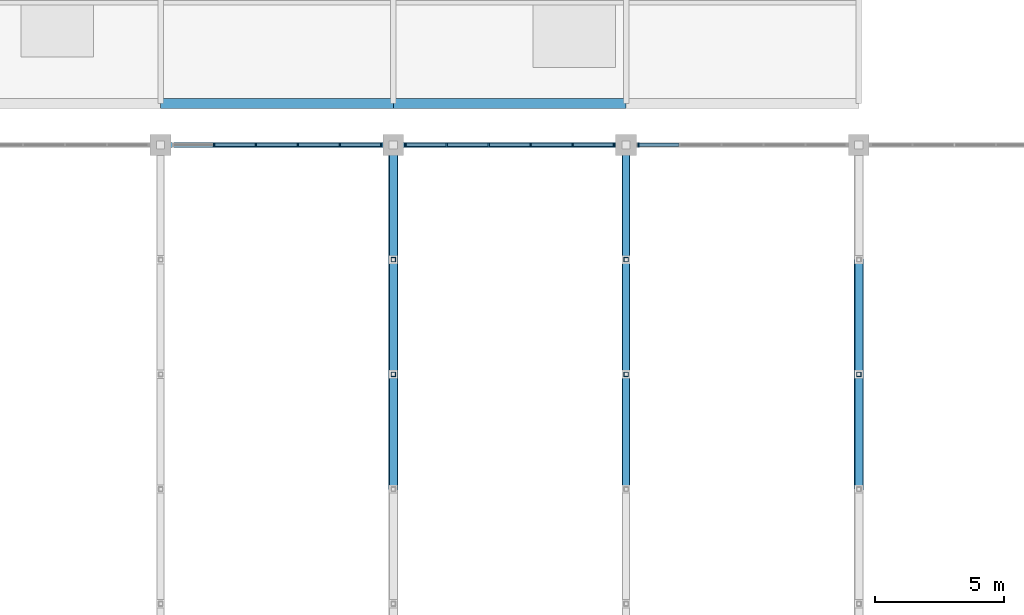
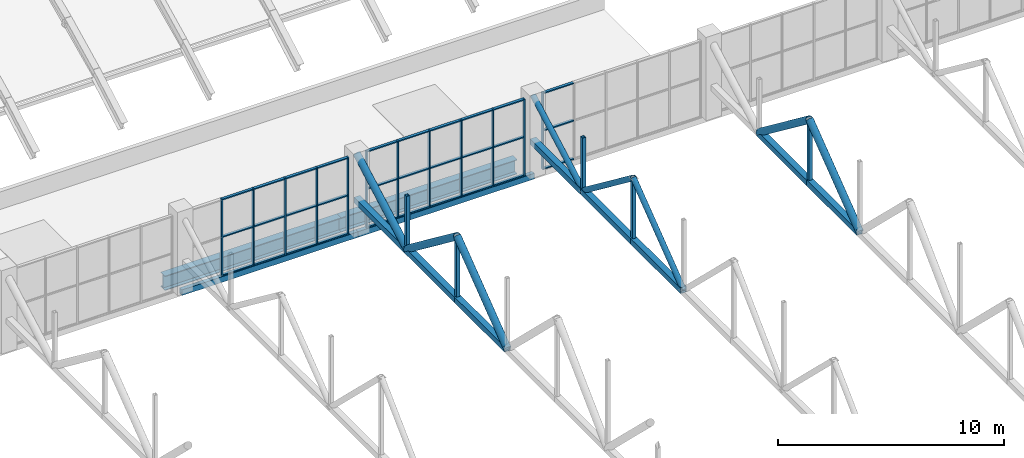
# One storey, part 56 of 103: 63 members, 4 beams, 3 elements without a shape of their own.
"""IFC4 building model written with IfcOpenShell, lengths in metres."""

from ifc_helpers import new_model, si_unit, direction, frame, origin, origin_2d, place, context, subcontext, project, spatial, rectangle, hollow_rectangle, hollow_circle, i_section, extrude, material, layer, layer_set, material_profile, profile_set, type_object, element, aggregate, save


model = new_model("IFC4")

# Units and contexts
model_context = context("Model", 3, precision=1e-05, world=origin(), true_north=direction((0.0, 1.0)))
body_context = subcontext(model_context, "Body", "Model", "MODEL_VIEW")
ifc_project = project(units=[si_unit("LENGTHUNIT", "METRE"), si_unit("AREAUNIT", "SQUARE_METRE"), si_unit("VOLUMEUNIT", "CUBIC_METRE"), si_unit("PLANEANGLEUNIT", "RADIAN"), si_unit("MASSUNIT", "GRAM", prefix="KILO")], contexts=[model_context])

# Site, building, storey
site_placement = place(None, origin())
site = spatial("IfcSite", under=ifc_project, at=site_placement, CompositionType="ELEMENT")
building_placement = place(site_placement, origin())
building = spatial("IfcBuilding", under=site, at=building_placement, Name="Cazmaro Siding Exhibition Halls", CompositionType="ELEMENT")
storey_placement = place(building_placement, frame((0.0, 0.0, 16.5)))
storey = spatial("IfcBuildingStorey", under=building, at=storey_placement, Name="L03", CompositionType="ELEMENT", Elevation=16.5)

# Curtain wall, members
ifc_material_1 = material(Name="Anodized Bronze Aluminum and Solar-Control Low-E Glazing", Category="aluminium")
ifc_layer = layer(ifc_material_1, 0.159912109375)
ifc_layer_set = layer_set([ifc_layer], Name="Anodized Bronze Aluminum and Solar-Control Low-E Glazing")
curtain_wall_type = type_object("IfcCurtainWallType", Name="CWS-04", PredefinedType="USERDEFINED", material=ifc_layer_set)
curtain_wall_1_placement = place(storey_placement, origin())
curtain_wall_1 = element("IfcCurtainWall", 1, at=curtain_wall_1_placement, inside=storey, type_object=curtain_wall_type, Name="Clerestory Curtain Wall CWS-04 CW-093", ObjectType="CLERESTORY CURTAIN WALL", PredefinedType="USERDEFINED")
ifc_material_2 = material(Name="Anodized Bronze Extruded Aluminum", Category="aluminium")
ifc_material_profile_1 = material_profile(ifc_material_2, rectangle(XDim=0.159912109375, YDim=0.06005859375, at=origin_2d()), Name="CWM-04")
ifc_profile_set_1 = profile_set([ifc_material_profile_1], Name="Anodized Bronze Extruded Aluminum")
member_type_1 = type_object("IfcMemberType", Name="CWM-04", PredefinedType="MULLION", material=ifc_profile_set_1)
member_1_placement = place(storey_placement, frame((134.52490234375, 53.60009765625, 0.0), z_axis=(0.0, 0.0, 1.0), x_axis=(0.0, -1.0, 0.0)))
member_1 = element("IfcMember", 2, at=member_1_placement, type_object=member_type_1, Name="CWS-04 mullion 1", PredefinedType="MULLION", context=body_context, shape_type="SweptSolid", body=[
    extrude(rectangle(XDim=0.159912109375, YDim=0.06005859375, at=origin_2d()), origin(), (0.0, 0.0, 1.0), 4.14990234375),
])
member_2_placement = place(storey_placement, frame((132.93310546875, 53.60009765625, 0.0), z_axis=(0.0, 0.0, 1.0), x_axis=(0.0, -1.0, 0.0)))
member_2 = element("IfcMember", 3, at=member_2_placement, type_object=member_type_1, Name="CWS-04 mullion 2", PredefinedType="MULLION", context=body_context, shape_type="SweptSolid", body=[
    extrude(rectangle(XDim=0.159912109375, YDim=0.06005859375, at=origin_2d()), origin(), (0.0, 0.0, 1.0), 4.14990234375),
])
member_3_placement = place(storey_placement, frame((131.31103515625, 53.60009765625, 0.0), z_axis=(0.0, 0.0, 1.0), x_axis=(0.0, -1.0, 0.0)))
member_3 = element("IfcMember", 4, at=member_3_placement, type_object=member_type_1, Name="CWS-04 mullion 3", PredefinedType="MULLION", context=body_context, shape_type="SweptSolid", body=[
    extrude(rectangle(XDim=0.159912109375, YDim=0.06005859375, at=origin_2d()), origin(), (0.0, 0.0, 1.0), 4.14990234375),
])
member_4_placement = place(storey_placement, frame((129.68896484375, 53.60009765625, 0.0), z_axis=(0.0, 0.0, 1.0), x_axis=(0.0, -1.0, 0.0)))
member_4 = element("IfcMember", 5, at=member_4_placement, type_object=member_type_1, Name="CWS-04 mullion 4", PredefinedType="MULLION", context=body_context, shape_type="SweptSolid", body=[
    extrude(rectangle(XDim=0.159912109375, YDim=0.06005859375, at=origin_2d()), origin(), (0.0, 0.0, 1.0), 4.14990234375),
])
member_5_placement = place(storey_placement, frame((128.06689453125, 53.60009765625, 0.0), z_axis=(0.0, 0.0, 1.0), x_axis=(0.0, -1.0, 0.0)))
member_5 = element("IfcMember", 6, at=member_5_placement, type_object=member_type_1, Name="CWS-04 mullion 5", PredefinedType="MULLION", context=body_context, shape_type="SweptSolid", body=[
    extrude(rectangle(XDim=0.159912109375, YDim=0.06005859375, at=origin_2d()), origin(), (0.0, 0.0, 1.0), 4.14990234375),
])

curtain_wall_2_placement = place(storey_placement, origin())
curtain_wall_2 = element("IfcCurtainWall", 7, at=curtain_wall_2_placement, inside=storey, type_object=curtain_wall_type, Name="Clerestory Curtain Wall CWS-04 CW-095", ObjectType="CLERESTORY CURTAIN WALL", PredefinedType="USERDEFINED")
member_6_placement = place(storey_placement, frame((143.52490234375, 53.60009765625, 0.0), z_axis=(0.0, 0.0, 1.0), x_axis=(0.0, -1.0, 0.0)))
member_6 = element("IfcMember", 8, at=member_6_placement, type_object=member_type_1, Name="CWS-04 mullion 1", PredefinedType="MULLION", context=body_context, shape_type="SweptSolid", body=[
    extrude(rectangle(XDim=0.159912109375, YDim=0.06005859375, at=origin_2d()), origin(), (0.0, 0.0, 1.0), 4.14990234375),
])
member_7_placement = place(storey_placement, frame((141.93310546875, 53.60009765625, 0.0), z_axis=(0.0, 0.0, 1.0), x_axis=(0.0, -1.0, 0.0)))
member_7 = element("IfcMember", 9, at=member_7_placement, type_object=member_type_1, Name="CWS-04 mullion 2", PredefinedType="MULLION", context=body_context, shape_type="SweptSolid", body=[
    extrude(rectangle(XDim=0.159912109375, YDim=0.06005859375, at=origin_2d()), origin(), (0.0, 0.0, 1.0), 4.14990234375),
])
member_8_placement = place(storey_placement, frame((140.31103515625, 53.60009765625, 0.0), z_axis=(0.0, 0.0, 1.0), x_axis=(0.0, -1.0, 0.0)))
member_8 = element("IfcMember", 10, at=member_8_placement, type_object=member_type_1, Name="CWS-04 mullion 3", PredefinedType="MULLION", context=body_context, shape_type="SweptSolid", body=[
    extrude(rectangle(XDim=0.159912109375, YDim=0.06005859375, at=origin_2d()), origin(), (0.0, 0.0, 1.0), 4.14990234375),
])
member_9_placement = place(storey_placement, frame((138.68896484375, 53.60009765625, 0.0), z_axis=(0.0, 0.0, 1.0), x_axis=(0.0, -1.0, 0.0)))
member_9 = element("IfcMember", 11, at=member_9_placement, type_object=member_type_1, Name="CWS-04 mullion 4", PredefinedType="MULLION", context=body_context, shape_type="SweptSolid", body=[
    extrude(rectangle(XDim=0.159912109375, YDim=0.06005859375, at=origin_2d()), origin(), (0.0, 0.0, 1.0), 4.14990234375),
])
member_10_placement = place(storey_placement, frame((137.06689453125, 53.60009765625, 0.0), z_axis=(0.0, 0.0, 1.0), x_axis=(0.0, -1.0, 0.0)))
member_10 = element("IfcMember", 12, at=member_10_placement, type_object=member_type_1, Name="CWS-04 mullion 5", PredefinedType="MULLION", context=body_context, shape_type="SweptSolid", body=[
    extrude(rectangle(XDim=0.159912109375, YDim=0.06005859375, at=origin_2d()), origin(), (0.0, 0.0, 1.0), 4.14990234375),
])
member_11_placement = place(storey_placement, frame((135.47509765625, 53.60009765625, 0.0), z_axis=(0.0, 0.0, 1.0), x_axis=(0.0, -1.0, 0.0)))
member_11 = element("IfcMember", 13, at=member_11_placement, type_object=member_type_1, Name="CWS-04 mullion 6", PredefinedType="MULLION", context=body_context, shape_type="SweptSolid", body=[
    extrude(rectangle(XDim=0.159912109375, YDim=0.06005859375, at=origin_2d()), origin(), (0.0, 0.0, 1.0), 4.14990234375),
])

# Curtain wall, member
curtain_wall_3_placement = place(storey_placement, origin())
curtain_wall_3 = element("IfcCurtainWall", 14, at=curtain_wall_3_placement, inside=storey, type_object=curtain_wall_type, Name="Clerestory Curtain Wall CWS-04 CW-097", ObjectType="CLERESTORY CURTAIN WALL", PredefinedType="USERDEFINED")
member_12_placement = place(storey_placement, frame((144.47509765625, 53.60009765625, 0.0), z_axis=(0.0, 0.0, 1.0), x_axis=(0.0, -1.0, 0.0)))
member_12 = element("IfcMember", 15, at=member_12_placement, type_object=member_type_1, Name="CWS-04 mullion 6", PredefinedType="MULLION", context=body_context, shape_type="SweptSolid", body=[
    extrude(rectangle(XDim=0.159912109375, YDim=0.06005859375, at=origin_2d()), origin(), (0.0, 0.0, 1.0), 4.14990234375),
])

# Member
ifc_material_3 = material(Name="Anodized Bronze Extruded Aluminum", Category="aluminium")
ifc_material_profile_2 = material_profile(ifc_material_3, rectangle(XDim=0.139892578125, YDim=0.06005859375, at=origin_2d()), Name="CWT-04")
ifc_profile_set_2 = profile_set([ifc_material_profile_2], Name="Anodized Bronze Extruded Aluminum")
member_type_2 = type_object("IfcMemberType", Name="CWT-04", PredefinedType="MULLION", material=ifc_profile_set_2)
member_13_placement = place(storey_placement, frame((134.4951171875, 53.60009765625, 0.030029296875), z_axis=(-1.0, 0.0, 0.0), x_axis=(0.0, -1.0, 0.0)))
member_13 = element("IfcMember", 16, at=member_13_placement, type_object=member_type_2, Name="CWS-04 transom 1.1", ObjectType="TRANSOM", PredefinedType="USERDEFINED", context=body_context, shape_type="SweptSolid", body=[
    extrude(rectangle(XDim=0.139892578125, YDim=0.06005859375, at=origin_2d()), origin(), (0.0, 0.0, 1.0), 1.5322265625),
])

member_14_placement = place(storey_placement, frame((134.4951171875, 53.60009765625, 2.10009765625), z_axis=(-1.0, 0.0, 0.0), x_axis=(0.0, -1.0, 0.0)))
member_14 = element("IfcMember", 17, at=member_14_placement, type_object=member_type_2, Name="CWS-04 transom 1.2", ObjectType="TRANSOM", PredefinedType="USERDEFINED", context=body_context, shape_type="SweptSolid", body=[
    extrude(rectangle(XDim=0.139892578125, YDim=0.06005859375, at=origin_2d()), origin(), (0.0, 0.0, 1.0), 1.5322265625),
])

member_15_placement = place(storey_placement, frame((134.4951171875, 53.60009765625, 4.1201171875), z_axis=(-1.0, 0.0, 0.0), x_axis=(0.0, -1.0, 0.0)))
member_15 = element("IfcMember", 18, at=member_15_placement, type_object=member_type_2, Name="CWS-04 transom 1.3", ObjectType="TRANSOM", PredefinedType="USERDEFINED", context=body_context, shape_type="SweptSolid", body=[
    extrude(rectangle(XDim=0.139892578125, YDim=0.06005859375, at=origin_2d()), origin(), (0.0, 0.0, 1.0), 1.5322265625),
])

member_16_placement = place(storey_placement, frame((132.903076171875, 53.60009765625, 0.030029296875), z_axis=(-1.0, 0.0, 0.0), x_axis=(0.0, -1.0, 0.0)))
member_16 = element("IfcMember", 19, at=member_16_placement, type_object=member_type_2, Name="CWS-04 transom 2.1", ObjectType="TRANSOM", PredefinedType="USERDEFINED", context=body_context, shape_type="SweptSolid", body=[
    extrude(rectangle(XDim=0.139892578125, YDim=0.06005859375, at=origin_2d()), origin(), (0.0, 0.0, 1.0), 1.56201171875),
])

member_17_placement = place(storey_placement, frame((132.903076171875, 53.60009765625, 2.10009765625), z_axis=(-1.0, 0.0, 0.0), x_axis=(0.0, -1.0, 0.0)))
member_17 = element("IfcMember", 20, at=member_17_placement, type_object=member_type_2, Name="CWS-04 transom 2.2", ObjectType="TRANSOM", PredefinedType="USERDEFINED", context=body_context, shape_type="SweptSolid", body=[
    extrude(rectangle(XDim=0.139892578125, YDim=0.06005859375, at=origin_2d()), origin(), (0.0, 0.0, 1.0), 1.56201171875),
])

member_18_placement = place(storey_placement, frame((132.903076171875, 53.60009765625, 4.1201171875), z_axis=(-1.0, 0.0, 0.0), x_axis=(0.0, -1.0, 0.0)))
member_18 = element("IfcMember", 21, at=member_18_placement, type_object=member_type_2, Name="CWS-04 transom 2.3", ObjectType="TRANSOM", PredefinedType="USERDEFINED", context=body_context, shape_type="SweptSolid", body=[
    extrude(rectangle(XDim=0.139892578125, YDim=0.06005859375, at=origin_2d()), origin(), (0.0, 0.0, 1.0), 1.56201171875),
])

member_19_placement = place(storey_placement, frame((131.281005859375, 53.60009765625, 0.030029296875), z_axis=(-1.0, 0.0, 0.0), x_axis=(0.0, -1.0, 0.0)))
member_19 = element("IfcMember", 22, at=member_19_placement, type_object=member_type_2, Name="CWS-04 transom 3.1", ObjectType="TRANSOM", PredefinedType="USERDEFINED", context=body_context, shape_type="SweptSolid", body=[
    extrude(rectangle(XDim=0.139892578125, YDim=0.06005859375, at=origin_2d()), origin(), (0.0, 0.0, 1.0), 1.56201171875),
])

member_20_placement = place(storey_placement, frame((131.281005859375, 53.60009765625, 2.10009765625), z_axis=(-1.0, 0.0, 0.0), x_axis=(0.0, -1.0, 0.0)))
member_20 = element("IfcMember", 23, at=member_20_placement, type_object=member_type_2, Name="CWS-04 transom 3.2", ObjectType="TRANSOM", PredefinedType="USERDEFINED", context=body_context, shape_type="SweptSolid", body=[
    extrude(rectangle(XDim=0.139892578125, YDim=0.06005859375, at=origin_2d()), origin(), (0.0, 0.0, 1.0), 1.56201171875),
])

member_21_placement = place(storey_placement, frame((131.281005859375, 53.60009765625, 4.1201171875), z_axis=(-1.0, 0.0, 0.0), x_axis=(0.0, -1.0, 0.0)))
member_21 = element("IfcMember", 24, at=member_21_placement, type_object=member_type_2, Name="CWS-04 transom 3.3", ObjectType="TRANSOM", PredefinedType="USERDEFINED", context=body_context, shape_type="SweptSolid", body=[
    extrude(rectangle(XDim=0.139892578125, YDim=0.06005859375, at=origin_2d()), origin(), (0.0, 0.0, 1.0), 1.56201171875),
])

member_22_placement = place(storey_placement, frame((129.658935546875, 53.60009765625, 0.030029296875), z_axis=(-1.0, 0.0, 0.0), x_axis=(0.0, -1.0, 0.0)))
member_22 = element("IfcMember", 25, at=member_22_placement, type_object=member_type_2, Name="CWS-04 transom 4.1", ObjectType="TRANSOM", PredefinedType="USERDEFINED", context=body_context, shape_type="SweptSolid", body=[
    extrude(rectangle(XDim=0.139892578125, YDim=0.06005859375, at=origin_2d()), origin(), (0.0, 0.0, 1.0), 1.56201171875),
])

member_23_placement = place(storey_placement, frame((129.658935546875, 53.60009765625, 2.10009765625), z_axis=(-1.0, 0.0, 0.0), x_axis=(0.0, -1.0, 0.0)))
member_23 = element("IfcMember", 26, at=member_23_placement, type_object=member_type_2, Name="CWS-04 transom 4.2", ObjectType="TRANSOM", PredefinedType="USERDEFINED", context=body_context, shape_type="SweptSolid", body=[
    extrude(rectangle(XDim=0.139892578125, YDim=0.06005859375, at=origin_2d()), origin(), (0.0, 0.0, 1.0), 1.56201171875),
])

member_24_placement = place(storey_placement, frame((129.658935546875, 53.60009765625, 4.1201171875), z_axis=(-1.0, 0.0, 0.0), x_axis=(0.0, -1.0, 0.0)))
member_24 = element("IfcMember", 27, at=member_24_placement, type_object=member_type_2, Name="CWS-04 transom 4.3", ObjectType="TRANSOM", PredefinedType="USERDEFINED", context=body_context, shape_type="SweptSolid", body=[
    extrude(rectangle(XDim=0.139892578125, YDim=0.06005859375, at=origin_2d()), origin(), (0.0, 0.0, 1.0), 1.56201171875),
])

aggregate(curtain_wall_1, [member_1, member_2, member_3, member_4, member_5, member_13, member_14, member_15, member_16, member_17, member_18, member_19, member_20, member_21, member_22, member_23, member_24])

member_25_placement = place(storey_placement, frame((143.4951171875, 53.60009765625, 0.030029296875), z_axis=(-1.0, 0.0, 0.0), x_axis=(0.0, -1.0, 0.0)))
member_25 = element("IfcMember", 28, at=member_25_placement, type_object=member_type_2, Name="CWS-04 transom 1.1", ObjectType="TRANSOM", PredefinedType="USERDEFINED", context=body_context, shape_type="SweptSolid", body=[
    extrude(rectangle(XDim=0.139892578125, YDim=0.06005859375, at=origin_2d()), origin(), (0.0, 0.0, 1.0), 1.5322265625),
])

member_26_placement = place(storey_placement, frame((143.4951171875, 53.60009765625, 2.10009765625), z_axis=(-1.0, 0.0, 0.0), x_axis=(0.0, -1.0, 0.0)))
member_26 = element("IfcMember", 29, at=member_26_placement, type_object=member_type_2, Name="CWS-04 transom 1.2", ObjectType="TRANSOM", PredefinedType="USERDEFINED", context=body_context, shape_type="SweptSolid", body=[
    extrude(rectangle(XDim=0.139892578125, YDim=0.06005859375, at=origin_2d()), origin(), (0.0, 0.0, 1.0), 1.5322265625),
])

member_27_placement = place(storey_placement, frame((143.4951171875, 53.60009765625, 4.1201171875), z_axis=(-1.0, 0.0, 0.0), x_axis=(0.0, -1.0, 0.0)))
member_27 = element("IfcMember", 30, at=member_27_placement, type_object=member_type_2, Name="CWS-04 transom 1.3", ObjectType="TRANSOM", PredefinedType="USERDEFINED", context=body_context, shape_type="SweptSolid", body=[
    extrude(rectangle(XDim=0.139892578125, YDim=0.06005859375, at=origin_2d()), origin(), (0.0, 0.0, 1.0), 1.5322265625),
])

member_28_placement = place(storey_placement, frame((141.903076171875, 53.60009765625, 0.030029296875), z_axis=(-1.0, 0.0, 0.0), x_axis=(0.0, -1.0, 0.0)))
member_28 = element("IfcMember", 31, at=member_28_placement, type_object=member_type_2, Name="CWS-04 transom 2.1", ObjectType="TRANSOM", PredefinedType="USERDEFINED", context=body_context, shape_type="SweptSolid", body=[
    extrude(rectangle(XDim=0.139892578125, YDim=0.06005859375, at=origin_2d()), origin(), (0.0, 0.0, 1.0), 1.56201171875),
])

member_29_placement = place(storey_placement, frame((141.903076171875, 53.60009765625, 2.10009765625), z_axis=(-1.0, 0.0, 0.0), x_axis=(0.0, -1.0, 0.0)))
member_29 = element("IfcMember", 32, at=member_29_placement, type_object=member_type_2, Name="CWS-04 transom 2.2", ObjectType="TRANSOM", PredefinedType="USERDEFINED", context=body_context, shape_type="SweptSolid", body=[
    extrude(rectangle(XDim=0.139892578125, YDim=0.06005859375, at=origin_2d()), origin(), (0.0, 0.0, 1.0), 1.56201171875),
])

member_30_placement = place(storey_placement, frame((141.903076171875, 53.60009765625, 4.1201171875), z_axis=(-1.0, 0.0, 0.0), x_axis=(0.0, -1.0, 0.0)))
member_30 = element("IfcMember", 33, at=member_30_placement, type_object=member_type_2, Name="CWS-04 transom 2.3", ObjectType="TRANSOM", PredefinedType="USERDEFINED", context=body_context, shape_type="SweptSolid", body=[
    extrude(rectangle(XDim=0.139892578125, YDim=0.06005859375, at=origin_2d()), origin(), (0.0, 0.0, 1.0), 1.56201171875),
])

member_31_placement = place(storey_placement, frame((140.281005859375, 53.60009765625, 0.030029296875), z_axis=(-1.0, 0.0, 0.0), x_axis=(0.0, -1.0, 0.0)))
member_31 = element("IfcMember", 34, at=member_31_placement, type_object=member_type_2, Name="CWS-04 transom 3.1", ObjectType="TRANSOM", PredefinedType="USERDEFINED", context=body_context, shape_type="SweptSolid", body=[
    extrude(rectangle(XDim=0.139892578125, YDim=0.06005859375, at=origin_2d()), origin(), (0.0, 0.0, 1.0), 1.56201171875),
])

member_32_placement = place(storey_placement, frame((140.281005859375, 53.60009765625, 2.10009765625), z_axis=(-1.0, 0.0, 0.0), x_axis=(0.0, -1.0, 0.0)))
member_32 = element("IfcMember", 35, at=member_32_placement, type_object=member_type_2, Name="CWS-04 transom 3.2", ObjectType="TRANSOM", PredefinedType="USERDEFINED", context=body_context, shape_type="SweptSolid", body=[
    extrude(rectangle(XDim=0.139892578125, YDim=0.06005859375, at=origin_2d()), origin(), (0.0, 0.0, 1.0), 1.56201171875),
])

member_33_placement = place(storey_placement, frame((140.281005859375, 53.60009765625, 4.1201171875), z_axis=(-1.0, 0.0, 0.0), x_axis=(0.0, -1.0, 0.0)))
member_33 = element("IfcMember", 36, at=member_33_placement, type_object=member_type_2, Name="CWS-04 transom 3.3", ObjectType="TRANSOM", PredefinedType="USERDEFINED", context=body_context, shape_type="SweptSolid", body=[
    extrude(rectangle(XDim=0.139892578125, YDim=0.06005859375, at=origin_2d()), origin(), (0.0, 0.0, 1.0), 1.56201171875),
])

member_34_placement = place(storey_placement, frame((138.658935546875, 53.60009765625, 0.030029296875), z_axis=(-1.0, 0.0, 0.0), x_axis=(0.0, -1.0, 0.0)))
member_34 = element("IfcMember", 37, at=member_34_placement, type_object=member_type_2, Name="CWS-04 transom 4.1", ObjectType="TRANSOM", PredefinedType="USERDEFINED", context=body_context, shape_type="SweptSolid", body=[
    extrude(rectangle(XDim=0.139892578125, YDim=0.06005859375, at=origin_2d()), origin(), (0.0, 0.0, 1.0), 1.56201171875),
])

member_35_placement = place(storey_placement, frame((138.658935546875, 53.60009765625, 2.10009765625), z_axis=(-1.0, 0.0, 0.0), x_axis=(0.0, -1.0, 0.0)))
member_35 = element("IfcMember", 38, at=member_35_placement, type_object=member_type_2, Name="CWS-04 transom 4.2", ObjectType="TRANSOM", PredefinedType="USERDEFINED", context=body_context, shape_type="SweptSolid", body=[
    extrude(rectangle(XDim=0.139892578125, YDim=0.06005859375, at=origin_2d()), origin(), (0.0, 0.0, 1.0), 1.56201171875),
])

member_36_placement = place(storey_placement, frame((138.658935546875, 53.60009765625, 4.1201171875), z_axis=(-1.0, 0.0, 0.0), x_axis=(0.0, -1.0, 0.0)))
member_36 = element("IfcMember", 39, at=member_36_placement, type_object=member_type_2, Name="CWS-04 transom 4.3", ObjectType="TRANSOM", PredefinedType="USERDEFINED", context=body_context, shape_type="SweptSolid", body=[
    extrude(rectangle(XDim=0.139892578125, YDim=0.06005859375, at=origin_2d()), origin(), (0.0, 0.0, 1.0), 1.56201171875),
])

member_37_placement = place(storey_placement, frame((137.037109375, 53.60009765625, 0.030029296875), z_axis=(-1.0, 0.0, 0.0), x_axis=(0.0, -1.0, 0.0)))
member_37 = element("IfcMember", 40, at=member_37_placement, type_object=member_type_2, Name="CWS-04 transom 5.1", ObjectType="TRANSOM", PredefinedType="USERDEFINED", context=body_context, shape_type="SweptSolid", body=[
    extrude(rectangle(XDim=0.139892578125, YDim=0.06005859375, at=origin_2d()), origin(), (0.0, 0.0, 1.0), 1.5322265625),
])

member_38_placement = place(storey_placement, frame((137.037109375, 53.60009765625, 2.10009765625), z_axis=(-1.0, 0.0, 0.0), x_axis=(0.0, -1.0, 0.0)))
member_38 = element("IfcMember", 41, at=member_38_placement, type_object=member_type_2, Name="CWS-04 transom 5.2", ObjectType="TRANSOM", PredefinedType="USERDEFINED", context=body_context, shape_type="SweptSolid", body=[
    extrude(rectangle(XDim=0.139892578125, YDim=0.06005859375, at=origin_2d()), origin(), (0.0, 0.0, 1.0), 1.5322265625),
])

member_39_placement = place(storey_placement, frame((137.037109375, 53.60009765625, 4.1201171875), z_axis=(-1.0, 0.0, 0.0), x_axis=(0.0, -1.0, 0.0)))
member_39 = element("IfcMember", 42, at=member_39_placement, type_object=member_type_2, Name="CWS-04 transom 5.3", ObjectType="TRANSOM", PredefinedType="USERDEFINED", context=body_context, shape_type="SweptSolid", body=[
    extrude(rectangle(XDim=0.139892578125, YDim=0.06005859375, at=origin_2d()), origin(), (0.0, 0.0, 1.0), 1.5322265625),
])

aggregate(curtain_wall_2, [member_6, member_7, member_8, member_9, member_10, member_11, member_25, member_26, member_27, member_28, member_29, member_30, member_31, member_32, member_33, member_34, member_35, member_36, member_37, member_38, member_39])

member_40_placement = place(storey_placement, frame((146.037109375, 53.60009765625, 0.030029296875), z_axis=(-1.0, 0.0, 0.0), x_axis=(0.0, -1.0, 0.0)))
member_40 = element("IfcMember", 43, at=member_40_placement, type_object=member_type_2, Name="CWS-04 transom 5.1", ObjectType="TRANSOM", PredefinedType="USERDEFINED", context=body_context, shape_type="SweptSolid", body=[
    extrude(rectangle(XDim=0.139892578125, YDim=0.06005859375, at=origin_2d()), origin(), (0.0, 0.0, 1.0), 1.5322265625),
])

member_41_placement = place(storey_placement, frame((146.037109375, 53.60009765625, 2.10009765625), z_axis=(-1.0, 0.0, 0.0), x_axis=(0.0, -1.0, 0.0)))
member_41 = element("IfcMember", 44, at=member_41_placement, type_object=member_type_2, Name="CWS-04 transom 5.2", ObjectType="TRANSOM", PredefinedType="USERDEFINED", context=body_context, shape_type="SweptSolid", body=[
    extrude(rectangle(XDim=0.139892578125, YDim=0.06005859375, at=origin_2d()), origin(), (0.0, 0.0, 1.0), 1.5322265625),
])

member_42_placement = place(storey_placement, frame((146.037109375, 53.60009765625, 4.1201171875), z_axis=(-1.0, 0.0, 0.0), x_axis=(0.0, -1.0, 0.0)))
member_42 = element("IfcMember", 45, at=member_42_placement, type_object=member_type_2, Name="CWS-04 transom 5.3", ObjectType="TRANSOM", PredefinedType="USERDEFINED", context=body_context, shape_type="SweptSolid", body=[
    extrude(rectangle(XDim=0.139892578125, YDim=0.06005859375, at=origin_2d()), origin(), (0.0, 0.0, 1.0), 1.5322265625),
])

aggregate(curtain_wall_3, [member_12, member_40, member_41, member_42])

# Beams
ifc_material_4 = material(Name="Steel ASTM A992 Grade 50", Category="steel")
ifc_material_profile_3 = material_profile(ifc_material_4, i_section(OverallWidth=0.381103515625, OverallDepth=0.779052734375, WebThickness=0.01806640625, FlangeThickness=0.030029296875, at=origin_2d()), Name="W30X191")
ifc_profile_set_3 = profile_set([ifc_material_profile_3], Name="Steel ASTM A992 Grade 50")
beam_type_1 = type_object("IfcBeamType", Name="G-04", PredefinedType="USERDEFINED", material=ifc_profile_set_3)
for number, where, z_axis, x_axis, name in (
    (46, (126.0, 55.199951171875, -0.56494140625), (1.0, 0.0, 0.0), (0.0, 1.0, 0.0), "Beam G-04 BM-1657"),
    (47, (135.0, 55.199951171875, -0.56494140625), (1.0, 0.0, 0.0), (0.0, 1.0, 0.0), "Beam G-04 BM-1666"),
):
    element("IfcBeam", number, at=place(storey_placement, frame(where, z_axis=z_axis, x_axis=x_axis)), inside=storey, type_object=beam_type_1, Name=name, ObjectType="GIRDER", PredefinedType="USERDEFINED", context=body_context, shape_type="SweptSolid", body=[
        extrude(i_section(OverallWidth=0.381103515625, OverallDepth=0.779052734375, WebThickness=0.01806640625, FlangeThickness=0.030029296875, at=origin_2d()), origin(), (0.0, 0.0, 1.0), 9.0),
    ])
ifc_material_5 = material(Name="Steel ASTM A500 Grade C", Category="steel")
ifc_material_profile_4 = material_profile(ifc_material_5, hollow_rectangle(XDim=0.202880859375, YDim=0.304931640625, WallThickness=0.011962890625, at=origin_2d()), Name="HSS12X8X1/2")
ifc_profile_set_4 = profile_set([ifc_material_profile_4], Name="Steel ASTM A500 Grade C")
beam_type_2 = type_object("IfcBeamType", Name="SP-01", PredefinedType="SPANDREL", material=ifc_profile_set_4)
for number, where, z_axis, x_axis, name in (
    (48, (126.0, 53.60009765625, -0.152099609375), (1.0, 0.0, 0.0), (0.0, 1.0, 0.0), "Beam SP-01 BM-1509"),
    (49, (135.0, 53.60009765625, -0.152099609375), (1.0, 0.0, 0.0), (0.0, 1.0, 0.0), "Beam SP-01 BM-1513"),
):
    element("IfcBeam", number, at=place(storey_placement, frame(where, z_axis=z_axis, x_axis=x_axis)), inside=storey, type_object=beam_type_2, Name=name, PredefinedType="SPANDREL", context=body_context, shape_type="SweptSolid", body=[
        extrude(hollow_rectangle(XDim=0.202880859375, YDim=0.304931640625, WallThickness=0.011962890625, at=origin_2d()), origin(), (0.0, 0.0, 1.0), 9.0),
    ])

# Members
ifc_material_6 = material(Name="Steel ASTM A500 Grade C", Category="steel")
ifc_material_profile_5 = material_profile(ifc_material_6, hollow_rectangle(XDim=0.304931640625, YDim=0.304931640625, WallThickness=0.014892578125, at=origin_2d()), Name="HSS12X12X5/8")
ifc_profile_set_5 = profile_set([ifc_material_profile_5], Name="Steel ASTM A500 Grade C")
member_type_3 = type_object("IfcMemberType", Name="TC-02", PredefinedType="CHORD", material=ifc_profile_set_5)
for number, where, z_axis, x_axis, name in (
    (50, (135.0, 40.294921875, 1.699951171875), (0.0, 1.0, 0.0), (-1.0, 0.0, 0.0), "Warren roof truss bottom chord TC-02 MEM-2597"),
    (51, (135.0, 44.72998046875, 1.699951171875), (0.0, 1.0, 0.0), (-1.0, 0.0, 0.0), "Warren roof truss bottom chord TC-02 MEM-2600"),
    (52, (135.0, 49.1650390625, 1.699951171875), (0.0, 1.0, 0.0), (-1.0, 0.0, 0.0), "Warren roof truss bottom chord TC-02 MEM-2603"),
    (53, (144.0, 40.294921875, 1.699951171875), (0.0, 1.0, 0.0), (-1.0, 0.0, 0.0), "Warren roof truss bottom chord TC-02 MEM-2636"),
    (54, (144.0, 44.72998046875, 1.699951171875), (0.0, 1.0, 0.0), (-1.0, 0.0, 0.0), "Warren roof truss bottom chord TC-02 MEM-2639"),
    (55, (144.0, 49.1650390625, 1.699951171875), (0.0, 1.0, 0.0), (-1.0, 0.0, 0.0), "Warren roof truss bottom chord TC-02 MEM-2642"),
    (56, (153.0, 40.294921875, 1.699951171875), (0.0, 1.0, 0.0), (-1.0, 0.0, 0.0), "Warren roof truss bottom chord TC-02 MEM-2675"),
    (57, (153.0, 44.72998046875, 1.699951171875), (0.0, 1.0, 0.0), (-1.0, 0.0, 0.0), "Warren roof truss bottom chord TC-02 MEM-2678"),
):
    element("IfcMember", number, at=place(storey_placement, frame(where, z_axis=z_axis, x_axis=x_axis)), inside=storey, type_object=member_type_3, Name=name, PredefinedType="CHORD", context=body_context, shape_type="SweptSolid", body=[
        extrude(hollow_rectangle(XDim=0.304931640625, YDim=0.304931640625, WallThickness=0.014892578125, at=origin_2d()), origin(), (0.0, 0.0, 1.0), 4.43505859375),
    ])
ifc_material_7 = material(Name="Steel ASTM A500 Grade C", Category="steel")
ifc_material_profile_6 = material_profile(ifc_material_7, hollow_rectangle(XDim=0.177978515625, YDim=0.177978515625, WallThickness=0.011962890625, at=origin_2d()), Name="HSS7X7X1/2")
ifc_profile_set_6 = profile_set([ifc_material_profile_6], Name="Steel ASTM A500 Grade C")
member_type_4 = type_object("IfcMemberType", Name="TP-02", PredefinedType="POST", material=ifc_profile_set_6)
member_43_placement = place(storey_placement, frame((135.0, 44.72998046875, 1.699951171875), z_axis=(0.0, 0.0, 1.0), x_axis=(1.0, 0.0, 0.0)))
element("IfcMember", 58, at=member_43_placement, inside=storey, type_object=member_type_4, Name="Warren roof truss vertical TP-02 MEM-2612", PredefinedType="POST", context=body_context, shape_type="SweptSolid", body=[
    extrude(hollow_rectangle(XDim=0.177978515625, YDim=0.177978515625, WallThickness=0.011962890625, at=origin_2d()), origin(), (0.0, 0.0, 1.0), 3.373046875),
])
member_44_placement = place(storey_placement, frame((135.0, 49.1650390625, 1.699951171875), z_axis=(0.0, 0.0, 1.0), x_axis=(1.0, 0.0, 0.0)))
element("IfcMember", 59, at=member_44_placement, inside=storey, type_object=member_type_4, Name="Warren roof truss vertical TP-02 MEM-2613", PredefinedType="POST", context=body_context, shape_type="SweptSolid", body=[
    extrude(hollow_rectangle(XDim=0.177978515625, YDim=0.177978515625, WallThickness=0.011962890625, at=origin_2d()), origin(), (0.0, 0.0, 1.0), 2.906005859375),
])
member_45_placement = place(storey_placement, frame((144.0, 44.72998046875, 1.699951171875), z_axis=(0.0, 0.0, 1.0), x_axis=(1.0, 0.0, 0.0)))
element("IfcMember", 60, at=member_45_placement, inside=storey, type_object=member_type_4, Name="Warren roof truss vertical TP-02 MEM-2651", PredefinedType="POST", context=body_context, shape_type="SweptSolid", body=[
    extrude(hollow_rectangle(XDim=0.177978515625, YDim=0.177978515625, WallThickness=0.011962890625, at=origin_2d()), origin(), (0.0, 0.0, 1.0), 3.373046875),
])
member_46_placement = place(storey_placement, frame((144.0, 49.1650390625, 1.699951171875), z_axis=(0.0, 0.0, 1.0), x_axis=(1.0, 0.0, 0.0)))
element("IfcMember", 61, at=member_46_placement, inside=storey, type_object=member_type_4, Name="Warren roof truss vertical TP-02 MEM-2652", PredefinedType="POST", context=body_context, shape_type="SweptSolid", body=[
    extrude(hollow_rectangle(XDim=0.177978515625, YDim=0.177978515625, WallThickness=0.011962890625, at=origin_2d()), origin(), (0.0, 0.0, 1.0), 2.906005859375),
])
member_47_placement = place(storey_placement, frame((153.0, 44.72998046875, 1.699951171875), z_axis=(0.0, 0.0, 1.0), x_axis=(1.0, 0.0, 0.0)))
element("IfcMember", 62, at=member_47_placement, inside=storey, type_object=member_type_4, Name="Warren roof truss vertical TP-02 MEM-2690", PredefinedType="POST", context=body_context, shape_type="SweptSolid", body=[
    extrude(hollow_rectangle(XDim=0.177978515625, YDim=0.177978515625, WallThickness=0.011962890625, at=origin_2d()), origin(), (0.0, 0.0, 1.0), 3.373046875),
])
ifc_material_8 = material(Name="Steel ASTM A500 Grade C", Category="steel")
ifc_material_profile_7 = material_profile(ifc_material_8, hollow_circle(Radius=0.136474609375, WallThickness=0.012939453125, at=origin_2d()), Name="PIPE10XS")
ifc_profile_set_7 = profile_set([ifc_material_profile_7], Name="Steel ASTM A500 Grade C")
member_type_5 = type_object("IfcMemberType", Name="WB-02", PredefinedType="BRACE", material=ifc_profile_set_7)
for number, where, z_axis, x_axis, name in (
    (63, (144.0, 40.294921875, 1.699951171875), (0.0, 0.795954445209, 0.605356524002), (-1.0, 0.0, 0.0), "Warren roof truss diagonal WB-02 MEM-2637"),
    (64, (144.0, 44.72998046875, 5.072998046875), (0.0, 0.795954445209, -0.605356524002), (-1.0, 0.0, 0.0), "Warren roof truss diagonal WB-02 MEM-2640"),
):
    element("IfcMember", number, at=place(storey_placement, frame(where, z_axis=z_axis, x_axis=x_axis)), inside=storey, type_object=member_type_5, Name=name, PredefinedType="BRACE", context=body_context, shape_type="SweptSolid", body=[
        extrude(hollow_circle(Radius=0.136474609375, WallThickness=0.012939453125, at=origin_2d()), origin(), (0.0, 0.0, 1.0), 5.572021484375),
    ])
member_48_placement = place(storey_placement, frame((144.0, 49.1650390625, 1.699951171875), z_axis=(0.0, 0.876160914294, 0.482018726051), x_axis=(-1.0, 0.0, 0.0)))
element("IfcMember", 65, at=member_48_placement, inside=storey, type_object=member_type_5, Name="Warren roof truss diagonal WB-02 MEM-2643", PredefinedType="BRACE", context=body_context, shape_type="SweptSolid", body=[
    extrude(hollow_circle(Radius=0.136474609375, WallThickness=0.012939453125, at=origin_2d()), origin(), (0.0, 0.0, 1.0), 5.06201171875),
])
ifc_material_9 = material(Name="Steel ASTM A500 Grade C", Category="steel")
ifc_material_profile_8 = material_profile(ifc_material_9, hollow_circle(Radius=0.177978515625, WallThickness=0.012939453125, at=origin_2d()), Name="PIPE14XS")
ifc_profile_set_8 = profile_set([ifc_material_profile_8], Name="Steel ASTM A500 Grade C")
member_type_6 = type_object("IfcMemberType", Name="WB-06", PredefinedType="BRACE", material=ifc_profile_set_8)
for number, where, z_axis, x_axis, name in (
    (66, (135.0, 40.294921875, 1.699951171875), (0.0, 0.795954445209, 0.605356524002), (-1.0, 0.0, 0.0), "Warren roof truss diagonal WB-06 MEM-2598"),
    (67, (135.0, 44.72998046875, 5.072998046875), (0.0, 0.795954445209, -0.605356524002), (-1.0, 0.0, 0.0), "Warren roof truss diagonal WB-06 MEM-2601"),
):
    element("IfcMember", number, at=place(storey_placement, frame(where, z_axis=z_axis, x_axis=x_axis)), inside=storey, type_object=member_type_6, Name=name, PredefinedType="BRACE", context=body_context, shape_type="SweptSolid", body=[
        extrude(hollow_circle(Radius=0.177978515625, WallThickness=0.012939453125, at=origin_2d()), origin(), (0.0, 0.0, 1.0), 5.572021484375),
    ])
member_49_placement = place(storey_placement, frame((135.0, 49.1650390625, 1.699951171875), z_axis=(0.0, 0.876160914294, 0.482018726051), x_axis=(-1.0, 0.0, 0.0)))
element("IfcMember", 68, at=member_49_placement, inside=storey, type_object=member_type_6, Name="Warren roof truss diagonal WB-06 MEM-2604", PredefinedType="BRACE", context=body_context, shape_type="SweptSolid", body=[
    extrude(hollow_circle(Radius=0.177978515625, WallThickness=0.012939453125, at=origin_2d()), origin(), (0.0, 0.0, 1.0), 5.06201171875),
])
for number, where, z_axis, x_axis, name in (
    (69, (153.0, 40.294921875, 1.699951171875), (0.0, 0.795954445209, 0.605356524002), (-1.0, 0.0, 0.0), "Warren roof truss diagonal WB-06 MEM-2676"),
    (70, (153.0, 44.72998046875, 5.072998046875), (0.0, 0.795954445209, -0.605356524002), (-1.0, 0.0, 0.0), "Warren roof truss diagonal WB-06 MEM-2679"),
):
    element("IfcMember", number, at=place(storey_placement, frame(where, z_axis=z_axis, x_axis=x_axis)), inside=storey, type_object=member_type_6, Name=name, PredefinedType="BRACE", context=body_context, shape_type="SweptSolid", body=[
        extrude(hollow_circle(Radius=0.177978515625, WallThickness=0.012939453125, at=origin_2d()), origin(), (0.0, 0.0, 1.0), 5.572021484375),
    ])

save(model, "model.ifc")
